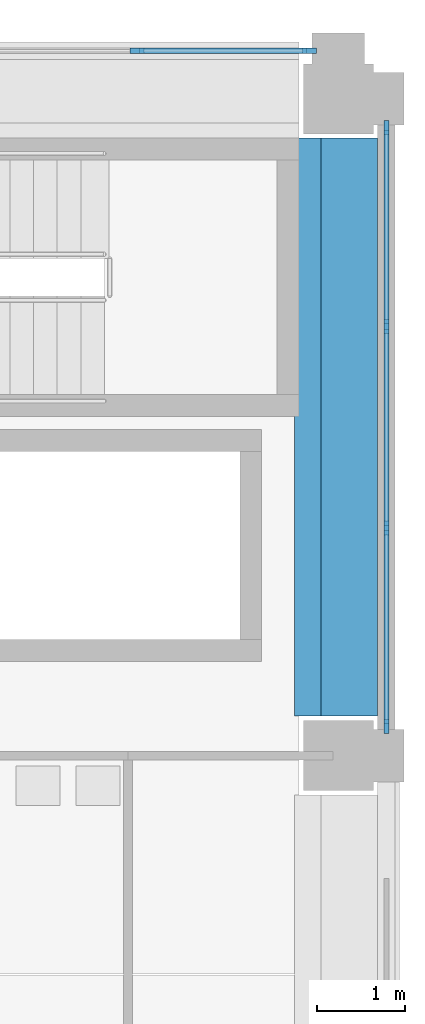
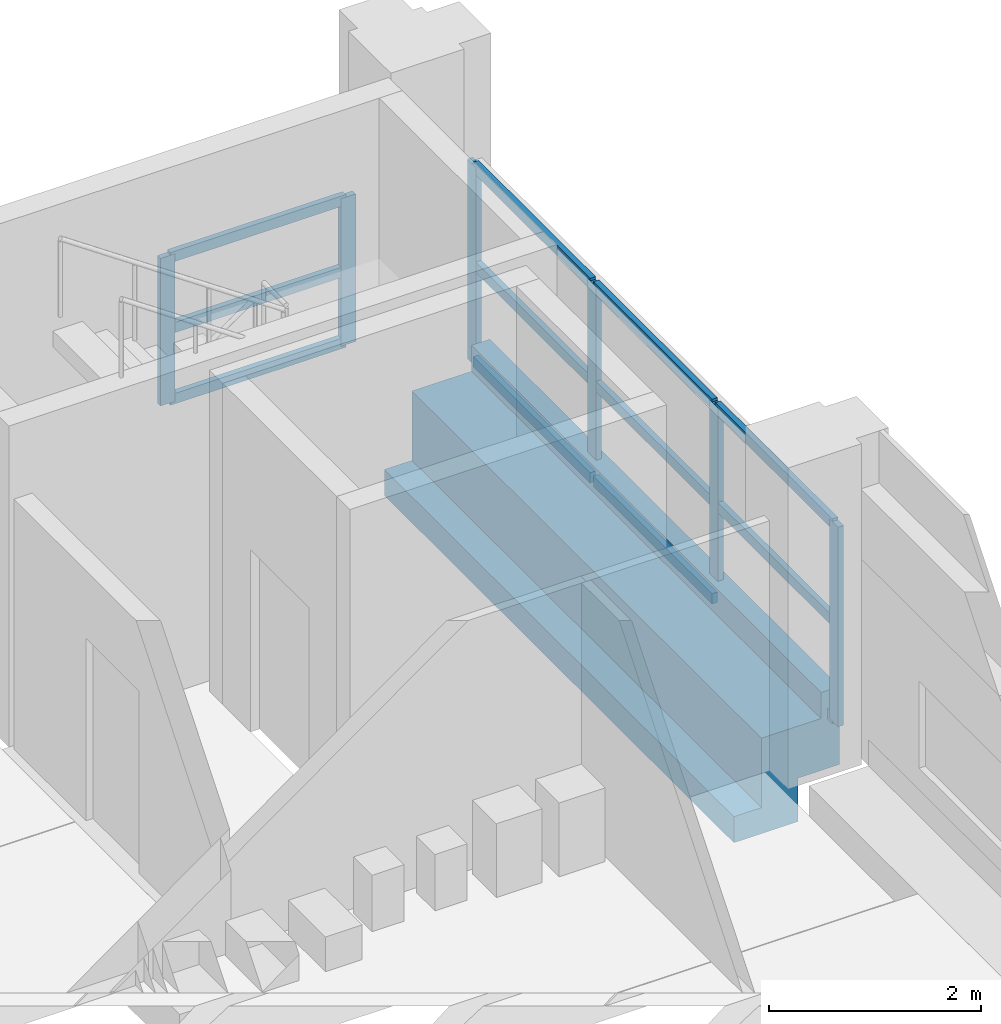
# One storey, part 24 of 61: 18 members, 1 beam, 2 elements without a shape of their own.
"""IFC4 building model written with IfcOpenShell, lengths in metres."""

from ifc_helpers import new_model, si_unit, direction, frame, origin, origin_2d, place, context, subcontext, project, spatial, polyline, rectangle, outline, extrude, material, layer, layer_set, material_profile, profile_set, type_object, element, aggregate, save


model = new_model("IFC4")

# Units and contexts
model_context = context("Model", 3, precision=1e-05, world=origin(), true_north=direction((0.0, 1.0)))
body_context = subcontext(model_context, "Body", "Model", "MODEL_VIEW")
ifc_project = project(units=[si_unit("LENGTHUNIT", "METRE"), si_unit("AREAUNIT", "SQUARE_METRE"), si_unit("VOLUMEUNIT", "CUBIC_METRE"), si_unit("PLANEANGLEUNIT", "RADIAN"), si_unit("MASSUNIT", "GRAM", prefix="KILO")], contexts=[model_context])

# Site, building, storey
site_placement = place(None, origin())
site = spatial("IfcSite", under=ifc_project, at=site_placement, CompositionType="ELEMENT")
building_placement = place(site_placement, origin())
building = spatial("IfcBuilding", under=site, at=building_placement, Name="Cour d'Honneur Mobility Palace", CompositionType="ELEMENT")
storey_placement = place(building_placement, frame((0.0, 0.0, 11.89990234375)))
storey = spatial("IfcBuildingStorey", under=building, at=storey_placement, Name="L03", CompositionType="ELEMENT", Elevation=11.89990234375)

# Curtain wall, members
ifc_material_1 = material(Name="Aluminium and glass", Category="aluminium")
ifc_layer = layer(ifc_material_1, 0.10009765625)
ifc_layer_set = layer_set([ifc_layer], Name="Aluminium and glass")
curtain_wall_type = type_object("IfcCurtainWallType", Name="Curtain wall run", PredefinedType="NOTDEFINED", material=ifc_layer_set)
curtain_wall_1_placement = place(storey_placement, origin())
curtain_wall_1 = element("IfcCurtainWall", 1, at=curtain_wall_1_placement, inside=storey, type_object=curtain_wall_type, Name="Curtain wall CW-117", PredefinedType="NOTDEFINED")
ifc_material_2 = material(Name="Aluminium", Category="aluminium")
ifc_material_profile_1 = material_profile(ifc_material_2, rectangle(XDim=0.06005859375, YDim=0.159912109375, at=origin_2d()), Name="Curtain wall mullion")
ifc_profile_set_1 = profile_set([ifc_material_profile_1], Name="Aluminium")
member_type_1 = type_object("IfcMemberType", Name="Curtain wall mullion", PredefinedType="MULLION", material=ifc_profile_set_1)
member_1_placement = place(storey_placement, frame((162.85009765625, 107.72998046875, 0.0), z_axis=(0.0, 0.0, 1.0), x_axis=(-1.0, 0.0, 0.0)))
member_1 = element("IfcMember", 2, at=member_1_placement, type_object=member_type_1, Name="CW-117 mullion 1", PredefinedType="MULLION", context=body_context, shape_type="SweptSolid", body=[
    extrude(rectangle(XDim=0.06005859375, YDim=0.159912109375, at=origin_2d()), origin(), (0.0, 0.0, 1.0), 2.300048828125),
])
member_2_placement = place(storey_placement, frame((162.85009765625, 110.0, 0.0), z_axis=(0.0, 0.0, 1.0), x_axis=(-1.0, 0.0, 0.0)))
member_2 = element("IfcMember", 3, at=member_2_placement, type_object=member_type_1, Name="CW-117 mullion 2", PredefinedType="MULLION", context=body_context, shape_type="SweptSolid", body=[
    extrude(rectangle(XDim=0.06005859375, YDim=0.159912109375, at=origin_2d()), origin(), (0.0, 0.0, 1.0), 2.300048828125),
])
member_3_placement = place(storey_placement, frame((162.85009765625, 112.300048828125, 0.0), z_axis=(0.0, 0.0, 1.0), x_axis=(-1.0, 0.0, 0.0)))
member_3 = element("IfcMember", 4, at=member_3_placement, type_object=member_type_1, Name="CW-117 mullion 3", PredefinedType="MULLION", context=body_context, shape_type="SweptSolid", body=[
    extrude(rectangle(XDim=0.06005859375, YDim=0.159912109375, at=origin_2d()), origin(), (0.0, 0.0, 1.0), 2.300048828125),
])
member_4_placement = place(storey_placement, frame((162.85009765625, 114.570068359375, 0.0), z_axis=(0.0, 0.0, 1.0), x_axis=(-1.0, 0.0, 0.0)))
member_4 = element("IfcMember", 5, at=member_4_placement, type_object=member_type_1, Name="CW-117 mullion 4", PredefinedType="MULLION", context=body_context, shape_type="SweptSolid", body=[
    extrude(rectangle(XDim=0.06005859375, YDim=0.159912109375, at=origin_2d()), origin(), (0.0, 0.0, 1.0), 2.300048828125),
])

curtain_wall_2_placement = place(storey_placement, origin())
curtain_wall_2 = element("IfcCurtainWall", 6, at=curtain_wall_2_placement, inside=storey, type_object=curtain_wall_type, Name="Curtain wall CW-118", PredefinedType="NOTDEFINED")
member_5_placement = place(storey_placement, frame((161.969970703125, 115.449951171875, 0.0), z_axis=(0.0, 0.0, 1.0), x_axis=(0.0, -1.0, 0.0)))
member_5 = element("IfcMember", 7, at=member_5_placement, type_object=member_type_1, Name="CW-118 mullion 1", PredefinedType="MULLION", context=body_context, shape_type="SweptSolid", body=[
    extrude(rectangle(XDim=0.06005859375, YDim=0.159912109375, at=origin_2d()), origin(), (0.0, 0.0, 1.0), 1.7001953125),
])
member_6_placement = place(storey_placement, frame((160.0, 115.449951171875, 0.0), z_axis=(0.0, 0.0, 1.0), x_axis=(0.0, -1.0, 0.0)))
member_6 = element("IfcMember", 8, at=member_6_placement, type_object=member_type_1, Name="CW-118 mullion 2", PredefinedType="MULLION", context=body_context, shape_type="SweptSolid", body=[
    extrude(rectangle(XDim=0.06005859375, YDim=0.159912109375, at=origin_2d()), origin(), (0.0, 0.0, 1.0), 1.7001953125),
])

# Member
ifc_material_3 = material(Name="Aluminium", Category="aluminium")
ifc_material_profile_2 = material_profile(ifc_material_3, rectangle(XDim=0.06005859375, YDim=0.1201171875, at=origin_2d()), Name="Curtain wall transom")
ifc_profile_set_2 = profile_set([ifc_material_profile_2], Name="Aluminium")
member_type_2 = type_object("IfcMemberType", Name="Curtain wall transom", PredefinedType="USERDEFINED", material=ifc_profile_set_2)
member_7_placement = place(storey_placement, frame((162.85009765625, 107.760009765625, 0.030029296875), z_axis=(0.0, 1.0, 0.0), x_axis=(-1.0, 0.0, 0.0)))
member_7 = element("IfcMember", 9, at=member_7_placement, type_object=member_type_2, Name="CW-117 transom 1.1", ObjectType="TRANSOM", PredefinedType="USERDEFINED", context=body_context, shape_type="SweptSolid", body=[
    extrude(rectangle(XDim=0.06005859375, YDim=0.1201171875, at=origin_2d()), origin(), (0.0, 0.0, 1.0), 2.2099609375),
])

member_8_placement = place(storey_placement, frame((162.85009765625, 107.760009765625, 1.150146484375), z_axis=(0.0, 1.0, 0.0), x_axis=(-1.0, 0.0, 0.0)))
member_8 = element("IfcMember", 10, at=member_8_placement, type_object=member_type_2, Name="CW-117 transom 1.2", ObjectType="TRANSOM", PredefinedType="USERDEFINED", context=body_context, shape_type="SweptSolid", body=[
    extrude(rectangle(XDim=0.06005859375, YDim=0.1201171875, at=origin_2d()), origin(), (0.0, 0.0, 1.0), 2.2099609375),
])

member_9_placement = place(storey_placement, frame((162.85009765625, 107.760009765625, 2.27001953125), z_axis=(0.0, 1.0, 0.0), x_axis=(-1.0, 0.0, 0.0)))
member_9 = element("IfcMember", 11, at=member_9_placement, type_object=member_type_2, Name="CW-117 transom 1.3", ObjectType="TRANSOM", PredefinedType="USERDEFINED", context=body_context, shape_type="SweptSolid", body=[
    extrude(rectangle(XDim=0.06005859375, YDim=0.1201171875, at=origin_2d()), origin(), (0.0, 0.0, 1.0), 2.2099609375),
])

member_10_placement = place(storey_placement, frame((162.85009765625, 110.030029296875, 0.030029296875), z_axis=(0.0, 1.0, 0.0), x_axis=(-1.0, 0.0, 0.0)))
member_10 = element("IfcMember", 12, at=member_10_placement, type_object=member_type_2, Name="CW-117 transom 2.1", ObjectType="TRANSOM", PredefinedType="USERDEFINED", context=body_context, shape_type="SweptSolid", body=[
    extrude(rectangle(XDim=0.06005859375, YDim=0.1201171875, at=origin_2d()), origin(), (0.0, 0.0, 1.0), 2.239990234375),
])

member_11_placement = place(storey_placement, frame((162.85009765625, 110.030029296875, 1.150146484375), z_axis=(0.0, 1.0, 0.0), x_axis=(-1.0, 0.0, 0.0)))
member_11 = element("IfcMember", 13, at=member_11_placement, type_object=member_type_2, Name="CW-117 transom 2.2", ObjectType="TRANSOM", PredefinedType="USERDEFINED", context=body_context, shape_type="SweptSolid", body=[
    extrude(rectangle(XDim=0.06005859375, YDim=0.1201171875, at=origin_2d()), origin(), (0.0, 0.0, 1.0), 2.239990234375),
])

member_12_placement = place(storey_placement, frame((162.85009765625, 110.030029296875, 2.27001953125), z_axis=(0.0, 1.0, 0.0), x_axis=(-1.0, 0.0, 0.0)))
member_12 = element("IfcMember", 14, at=member_12_placement, type_object=member_type_2, Name="CW-117 transom 2.3", ObjectType="TRANSOM", PredefinedType="USERDEFINED", context=body_context, shape_type="SweptSolid", body=[
    extrude(rectangle(XDim=0.06005859375, YDim=0.1201171875, at=origin_2d()), origin(), (0.0, 0.0, 1.0), 2.239990234375),
])

member_13_placement = place(storey_placement, frame((162.85009765625, 112.330078125, 0.030029296875), z_axis=(0.0, 1.0, 0.0), x_axis=(-1.0, 0.0, 0.0)))
member_13 = element("IfcMember", 15, at=member_13_placement, type_object=member_type_2, Name="CW-117 transom 3.1", ObjectType="TRANSOM", PredefinedType="USERDEFINED", context=body_context, shape_type="SweptSolid", body=[
    extrude(rectangle(XDim=0.06005859375, YDim=0.1201171875, at=origin_2d()), origin(), (0.0, 0.0, 1.0), 2.2099609375),
])

member_14_placement = place(storey_placement, frame((162.85009765625, 112.330078125, 1.150146484375), z_axis=(0.0, 1.0, 0.0), x_axis=(-1.0, 0.0, 0.0)))
member_14 = element("IfcMember", 16, at=member_14_placement, type_object=member_type_2, Name="CW-117 transom 3.2", ObjectType="TRANSOM", PredefinedType="USERDEFINED", context=body_context, shape_type="SweptSolid", body=[
    extrude(rectangle(XDim=0.06005859375, YDim=0.1201171875, at=origin_2d()), origin(), (0.0, 0.0, 1.0), 2.2099609375),
])

member_15_placement = place(storey_placement, frame((162.85009765625, 112.330078125, 2.27001953125), z_axis=(0.0, 1.0, 0.0), x_axis=(-1.0, 0.0, 0.0)))
member_15 = element("IfcMember", 17, at=member_15_placement, type_object=member_type_2, Name="CW-117 transom 3.3", ObjectType="TRANSOM", PredefinedType="USERDEFINED", context=body_context, shape_type="SweptSolid", body=[
    extrude(rectangle(XDim=0.06005859375, YDim=0.1201171875, at=origin_2d()), origin(), (0.0, 0.0, 1.0), 2.2099609375),
])

aggregate(curtain_wall_1, [member_1, member_2, member_3, member_4, member_7, member_8, member_9, member_10, member_11, member_12, member_13, member_14, member_15])

member_16_placement = place(storey_placement, frame((161.93994140625, 115.449951171875, 0.030029296875), z_axis=(-1.0, 0.0, 0.0), x_axis=(0.0, -1.0, 0.0)))
member_16 = element("IfcMember", 18, at=member_16_placement, type_object=member_type_2, Name="CW-118 transom 1.1", ObjectType="TRANSOM", PredefinedType="USERDEFINED", context=body_context, shape_type="SweptSolid", body=[
    extrude(rectangle(XDim=0.06005859375, YDim=0.1201171875, at=origin_2d()), origin(), (0.0, 0.0, 1.0), 1.909912109375),
])

member_17_placement = place(storey_placement, frame((161.93994140625, 115.449951171875, 0.85009765625), z_axis=(-1.0, 0.0, 0.0), x_axis=(0.0, -1.0, 0.0)))
member_17 = element("IfcMember", 19, at=member_17_placement, type_object=member_type_2, Name="CW-118 transom 1.2", ObjectType="TRANSOM", PredefinedType="USERDEFINED", context=body_context, shape_type="SweptSolid", body=[
    extrude(rectangle(XDim=0.06005859375, YDim=0.1201171875, at=origin_2d()), origin(), (0.0, 0.0, 1.0), 1.909912109375),
])

member_18_placement = place(storey_placement, frame((161.93994140625, 115.449951171875, 1.670166015625), z_axis=(-1.0, 0.0, 0.0), x_axis=(0.0, -1.0, 0.0)))
member_18 = element("IfcMember", 20, at=member_18_placement, type_object=member_type_2, Name="CW-118 transom 1.3", ObjectType="TRANSOM", PredefinedType="USERDEFINED", context=body_context, shape_type="SweptSolid", body=[
    extrude(rectangle(XDim=0.06005859375, YDim=0.1201171875, at=origin_2d()), origin(), (0.0, 0.0, 1.0), 1.909912109375),
])

aggregate(curtain_wall_2, [member_5, member_6, member_16, member_17, member_18])

# Beam
ifc_material_4 = material(Name="Concrete C45", Category="concrete")
ifc_material_profile_3 = material_profile(ifc_material_4, outline(polyline([(0.5, -1.10009765625), (0.5, -0.800048828125), (0.199951171875, -0.800048828125), (0.199951171875, 0.0), (-0.199951171875, 0.0), (-0.449951171875, 0.0), (-0.449951171875, 0.300048828125), (-0.64990234375, 0.300048828125), (-0.64990234375, -0.60009765625), (-0.199951171875, -0.60009765625), (-0.199951171875, -1.10009765625), (0.5, -1.10009765625)])), Name="Ledger Beam 400x1100 ledge left 300 facade right")
ifc_profile_set_3 = profile_set([ifc_material_profile_3], Name="Concrete C45")
beam_type = type_object("IfcBeamType", Name="Ledger Beam 400x1100 ledge left 300 facade right", PredefinedType="BEAM", material=ifc_profile_set_3)
beam_placement = place(storey_placement, frame((162.300048828125, 107.85009765625, 0.0), z_axis=(0.0, 1.0, 0.0), x_axis=(-1.0, 0.0, 0.0)))
element("IfcBeam", 21, at=beam_placement, inside=storey, type_object=beam_type, Name="Precast beam B3 P-Q L03", PredefinedType="BEAM", context=body_context, shape_type="SweptSolid", body=[
    extrude(outline(polyline([(0.5, -1.10009765625), (0.5, -0.800048828125), (0.199951171875, -0.800048828125), (0.199951171875, 0.0), (-0.199951171875, 0.0), (-0.449951171875, 0.0), (-0.449951171875, 0.300048828125), (-0.64990234375, 0.300048828125), (-0.64990234375, -0.60009765625), (-0.199951171875, -0.60009765625), (-0.199951171875, -1.10009765625), (0.5, -1.10009765625)])), origin(), (0.0, 0.0, 1.0), 6.599853515625),
])

save(model, "model.ifc")
